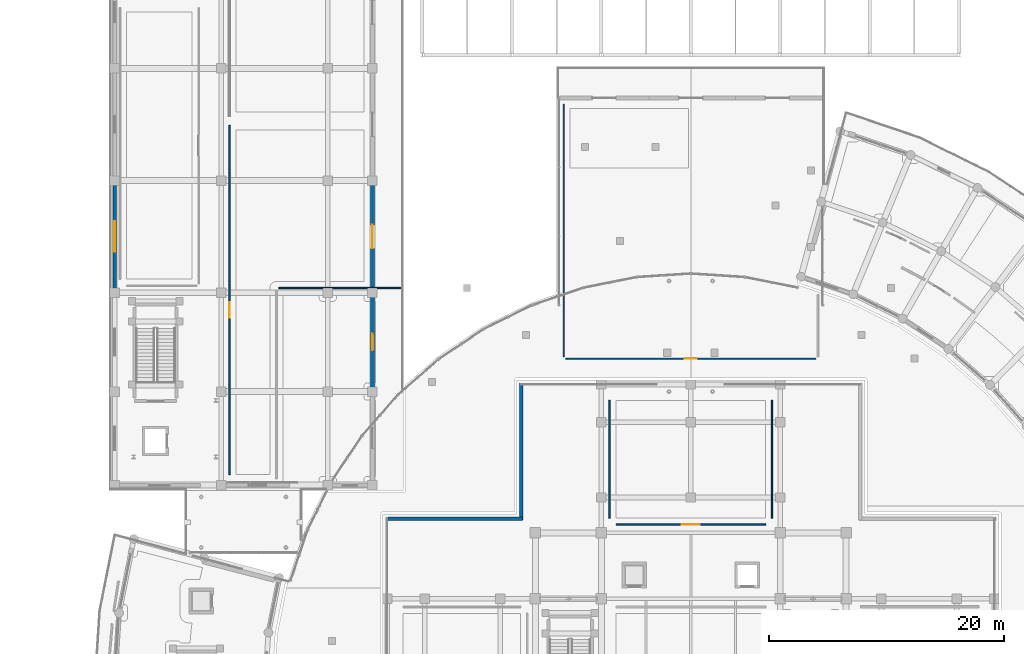
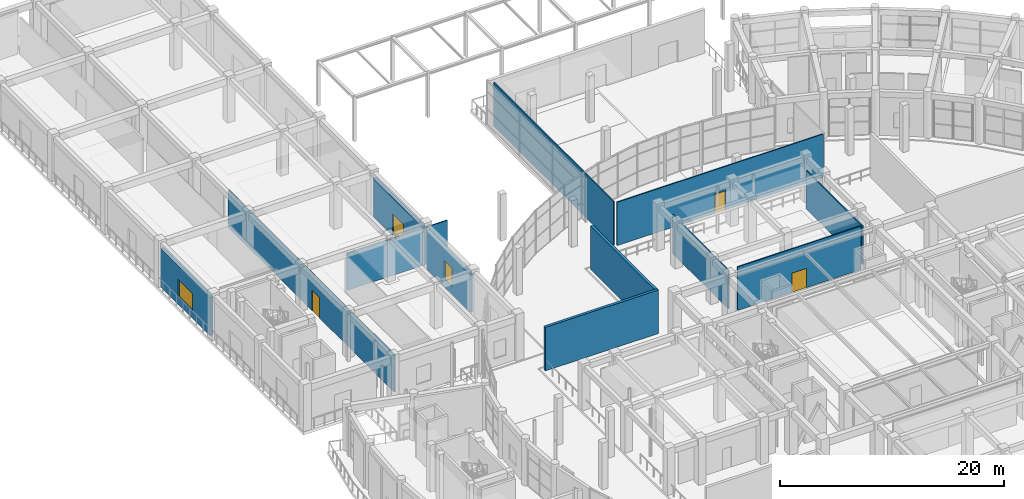
# One storey, part 71 of 99: 12 walls, 4 doors, 2 windows, 6 openings.
"""IFC4 building model written with IfcOpenShell, lengths in metres."""

import ifcopenshell
import ifcopenshell.guid

model = None  # the IFC model being written
_history = None  # IfcOwnerHistory: only IFC2X3 demands one
_inside = {}  # id of a spatial element -> (the spatial element, [elements in it])
_under = {}  # id of a project, library or spatial element -> (it, [spatial elements below it])
_declared = {}  # id of a project -> (the project, [libraries it declares])
_typed = {}  # id of a type object -> (the type object, [elements of that type])
_made_of = {}  # id of a material, layer set ... -> (it, [elements and type objects made of it])


def new_model(schema):
    """Start an empty IFC model of exactly this schema.

    Asked for "IFC4X3", IfcOpenShell would pick the latest addendum, in which some entities
    have other attributes; the version numbers below select the first issue.
    IFC2X3 requires an IfcOwnerHistory on every rooted entity: one is made here for all.
    """
    global model, _history
    if schema == "IFC4X3":
        model = ifcopenshell.file(schema_version=(4, 3, 0, 0))
    else:
        model = ifcopenshell.file(schema=schema)
    _inside.clear()
    _under.clear()
    _declared.clear()
    _typed.clear()
    _made_of.clear()
    _history = None
    if model.schema == "IFC2X3":
        org = make("IfcOrganization", Name="unknown")
        user = make(
            "IfcPersonAndOrganization",
            ThePerson=make("IfcPerson", FamilyName="unknown"),
            TheOrganization=org,
        )
        app = make(
            "IfcApplication",
            ApplicationDeveloper=org,
            Version="unknown",
            ApplicationFullName="unknown",
            ApplicationIdentifier="unknown",
        )
        _history = make(
            "IfcOwnerHistory",
            OwningUser=user,
            OwningApplication=app,
            ChangeAction="ADDED",
            CreationDate=0,
        )
    return model


def make(cls, **values):
    """One entity of the class cls with the attributes given. An attribute that is None is left unset."""
    return model.create_entity(
        cls, **{name: value for name, value in values.items() if value is not None}
    )


def rooted(cls, **values):
    """An entity with a GlobalId (a new one), such as an element, a storey or a relation."""
    return make(cls, GlobalId=ifcopenshell.guid.new(), OwnerHistory=_history, **values)


def si_unit(unit_type, name, prefix=None):
    """IfcSIUnit, for example si_unit("LENGTHUNIT", "METRE", prefix="MILLI")."""
    return make("IfcSIUnit", UnitType=unit_type, Prefix=prefix, Name=name)


def assignment(units):
    """IfcUnitAssignment: the units of a project."""
    return None if units is None else make("IfcUnitAssignment", Units=units)


def point(xyz):
    """IfcCartesianPoint."""
    return None if xyz is None else make("IfcCartesianPoint", Coordinates=xyz)


def direction(xyz):
    """IfcDirection."""
    return None if xyz is None else make("IfcDirection", DirectionRatios=xyz)


def frame(location, z_axis=None, x_axis=None):
    """IfcAxis2Placement3D, a coordinate frame: its origin and axes. An axis left out is left unset."""
    return make(
        "IfcAxis2Placement3D",
        Location=point(location),
        Axis=direction(z_axis),
        RefDirection=direction(x_axis),
    )


def frame_2d(location, x_axis=None):
    """IfcAxis2Placement2D, a coordinate frame in the plane: its origin and x axis."""
    return make(
        "IfcAxis2Placement2D", Location=point(location), RefDirection=direction(x_axis)
    )


def origin():
    """The frame at (0, 0, 0) with its axes left unset."""
    return frame((0.0, 0.0, 0.0))


def place(relative_to, where):
    """IfcLocalPlacement: puts the frame where relative to a parent placement (None: the world)."""
    return make(
        "IfcLocalPlacement", PlacementRelTo=relative_to, RelativePlacement=where
    )


def context(
    kind, dimensions, precision=None, world=None, true_north=None, identifier=None
):
    """IfcGeometricRepresentationContext, for example the 3D "Model" context."""
    return make(
        "IfcGeometricRepresentationContext",
        ContextIdentifier=identifier,
        ContextType=kind,
        CoordinateSpaceDimension=dimensions,
        Precision=precision,
        WorldCoordinateSystem=world,
        TrueNorth=true_north,
    )


def subcontext(parent, identifier, kind, view, scale=None):
    """IfcGeometricRepresentationSubContext, for example "Body" below "Model"."""
    return make(
        "IfcGeometricRepresentationSubContext",
        ContextIdentifier=identifier,
        ContextType=kind,
        ParentContext=parent,
        TargetScale=scale,
        TargetView=view,
    )


def project(units=None, contexts=None):
    """IfcProject with its units and contexts."""
    return rooted(
        "IfcProject",
        Name="project",
        RepresentationContexts=contexts,
        UnitsInContext=assignment(units),
    )


def spatial(cls, under=None, at=None, **own):
    """A site, building, storey or space (cls), placed at a placement, below another one or the project."""
    s = rooted(cls, ObjectPlacement=at, **own)
    if under is not None:
        _under.setdefault(under.id(), (under, []))[1].append(s)
    return s


def profile(cls, at=None, kind="AREA", **sizes):
    """A parametric profile (cls). Its sizes go by their IFC names, for example OverallWidth=200.0."""
    return make(cls, ProfileType=kind, Position=at, **sizes)


def rectangle(**sizes):
    """IfcRectangleProfileDef."""
    return profile("IfcRectangleProfileDef", **sizes)


def extrude(swept, where, along, depth):
    """IfcExtrudedAreaSolid: the profile swept, set in the frame where, extruded along a direction by depth."""
    return make(
        "IfcExtrudedAreaSolid",
        SweptArea=swept,
        Position=where,
        ExtrudedDirection=direction(along),
        Depth=depth,
    )


def shape(context_of_items, identifier, shape_type, items):
    """IfcShapeRepresentation: the items that make up one representation, for example the "Body"."""
    return make(
        "IfcShapeRepresentation",
        ContextOfItems=context_of_items,
        RepresentationIdentifier=identifier,
        RepresentationType=shape_type,
        Items=items,
    )


def material(Name=None, Category=None):
    """IfcMaterial."""
    return make("IfcMaterial", Name=Name, Category=Category)


def layer(
    of_material, thickness, ventilated=None, Name=None, Category=None, Priority=None
):
    """IfcMaterialLayer: one layer of a wall or slab, of a material (None: an air gap)."""
    return make(
        "IfcMaterialLayer",
        Material=of_material,
        LayerThickness=thickness,
        IsVentilated=ventilated,
        Name=Name,
        Category=Category,
        Priority=Priority,
    )


def layer_set(layers, Name=None):
    """IfcMaterialLayerSet."""
    return make("IfcMaterialLayerSet", MaterialLayers=layers, LayerSetName=Name)


def made_of(thing, what):
    """Note that an element or type object is made of a material, layer set ...; save() writes the relation."""
    if what is not None:
        _made_of.setdefault(what.id(), (what, []))[1].append(thing)
    return thing


def type_object(cls, material=None, **own):
    """A type object (cls), such as IfcWallType, which elements share."""
    return made_of(rooted(cls, **own), material)


def element(
    cls,
    number,
    at=None,
    inside=None,
    cuts=None,
    type_object=None,
    material=None,
    context=None,
    identifier="Body",
    shape_type=None,
    held_by="IfcProductDefinitionShape",
    body=None,
    shapes=None,
    **own,
):
    """One element of the class cls, such as IfcWall. Its Tag is "e" and its number.

    at: its placement. inside: the storey or other place that contains it. cuts: it is an
    opening in that element (IfcRelVoidsElement). A single representation is given by context,
    identifier, shape_type and body (its items); several are given by shapes. held_by: the class
    of the entity that holds the representations. save() writes the other relations.
    """
    e = rooted(cls, Tag="e%d" % number, ObjectPlacement=at, **own)
    if body is not None:
        shapes = [shape(context, identifier, shape_type, body)]
    if shapes is not None:
        e.Representation = make(held_by, Representations=shapes)
    if inside is not None:
        _inside.setdefault(inside.id(), (inside, []))[1].append(e)
    if cuts is not None:
        rooted(
            "IfcRelVoidsElement", RelatingBuildingElement=cuts, RelatedOpeningElement=e
        )
    if type_object is not None:
        _typed.setdefault(type_object.id(), (type_object, []))[1].append(e)
    return made_of(e, material)


def fill(opening, filler):
    """IfcRelFillsElement: the door or window that sits in an opening."""
    return rooted(
        "IfcRelFillsElement",
        RelatingOpeningElement=opening,
        RelatedBuildingElement=filler,
    )


def aggregate(whole, parts):
    """IfcRelAggregates: a whole, such as a stair, and the parts it consists of."""
    return rooted("IfcRelAggregates", RelatingObject=whole, RelatedObjects=parts)


def save(model, path):
    """Write the relations noted so far, then the file.

    IfcRelAggregates (storeys below a building ...), IfcRelContainedInSpatialStructure (elements
    in a storey), IfcRelDefinesByType, IfcRelAssociatesMaterial and IfcRelDeclares: one each for
    every whole, place, type object, material and project.
    """
    for whole, parts in _under.values():
        aggregate(whole, parts)
    for where, things in _inside.values():
        rooted(
            "IfcRelContainedInSpatialStructure",
            RelatedElements=things,
            RelatingStructure=where,
        )
    for kind, things in _typed.values():
        rooted("IfcRelDefinesByType", RelatedObjects=things, RelatingType=kind)
    for what, things in _made_of.values():
        rooted("IfcRelAssociatesMaterial", RelatedObjects=things, RelatingMaterial=what)
    for by, libraries in _declared.values():
        rooted("IfcRelDeclares", RelatingContext=by, RelatedDefinitions=libraries)
    model.write(path)


model = new_model("IFC4")

# Units and contexts
model_context = context("Model", 3, precision=1e-05, world=origin(), true_north=direction((0.0, 1.0)))
body_context = subcontext(model_context, "Body", "Model", "MODEL_VIEW")
ifc_project = project(units=[si_unit("LENGTHUNIT", "METRE"), si_unit("AREAUNIT", "SQUARE_METRE"), si_unit("VOLUMEUNIT", "CUBIC_METRE"), si_unit("PLANEANGLEUNIT", "RADIAN"), si_unit("MASSUNIT", "GRAM", prefix="KILO")], contexts=[model_context])

# Site, building, storey
site_placement = place(None, origin())
site = spatial("IfcSite", under=ifc_project, at=site_placement, CompositionType="ELEMENT")
building_placement = place(site_placement, origin())
building = spatial("IfcBuilding", under=site, at=building_placement, Name="Saryqyr Civic Hall", CompositionType="ELEMENT")
storey_placement = place(building_placement, origin())
storey = spatial("IfcBuildingStorey", under=building, at=storey_placement, Name="L00", CompositionType="ELEMENT", Elevation=0.0)

# Walls
ifc_material_1 = material(Name="Precast concrete C40/50", Category="concrete")
ifc_layer_1 = layer(ifc_material_1, 0.27001953125, Name="Precast concrete C40/50")
ifc_layer_set_1 = layer_set([ifc_layer_1], Name="Precast concrete C40/50")
wall_type_1 = type_object("IfcWallType", Name="ENV-WAL-EXT-270", PredefinedType="STANDARD", material=ifc_layer_set_1)
for number, where, z_axis, x_axis, name in (
    (1, (31.080078125, 98.39990234375, 0.0), (0.0, 0.0, 1.0), (1.0, 0.0, 0.0), "Exterior wall V1-EW-L00-03"),
    (2, (42.60009765625, 98.280029296875, 0.0), (0.0, 0.0, 1.0), (0.0, 1.0, 0.0), "Exterior wall V1-EW-L00-04"),
):
    element("IfcWall", number, at=place(storey_placement, frame(where, z_axis=z_axis, x_axis=x_axis)), inside=storey, type_object=wall_type_1, Name=name, PredefinedType="STANDARD", context=body_context, shape_type="SweptSolid", body=[
        extrude(rectangle(XDim=11.639892578125, YDim=0.27001953125, at=frame_2d((5.81982421875, 0.0))), origin(), (0.0, 0.0, 1.0), 4.75),
    ])

# Wall, opening, door
ifc_layer_2 = layer(ifc_material_1, 0.31005859375, Name="Precast concrete C40/50")
ifc_layer_set_2 = layer_set([ifc_layer_2], Name="Precast concrete C40/50")
wall_type_2 = type_object("IfcWallType", Name="ENV-WAL-EXT-310", PredefinedType="STANDARD", material=ifc_layer_set_2)
wall_1_placement = place(storey_placement, frame((29.949951171875, 126.794921875, 0.0), z_axis=(0.0, 0.0, 1.0), x_axis=(0.0, -1.0, 0.0)))
wall_1 = element("IfcWall", 3, at=wall_1_placement, inside=storey, type_object=wall_type_2, Name="Exterior wall V3-EW-L00-1-4", PredefinedType="STANDARD", context=body_context, shape_type="SweptSolid", body=[
    extrude(rectangle(XDim=8.85986328125, YDim=0.31005859375, at=frame_2d((4.429931640625, 0.0))), origin(), (0.0, 0.0, 1.0), 4.195068359375),
])
opening_1_placement = place(wall_1_placement, frame((3.429931640625, 0.0, 0.0)))
opening_1 = element("IfcOpeningElement", 4, at=opening_1_placement, cuts=wall_1, Name="Opening ED-A", PredefinedType="OPENING", context=body_context, shape_type="SweptSolid", body=[
    extrude(rectangle(XDim=2.0, YDim=2.39990234375, at=frame_2d((1.0, 1.199951171875))), frame((0.0, 0.1650390625, 0.0), z_axis=(0.0, -1.0, 0.0), x_axis=(1.0, 0.0, 0.0)), (0.0, 0.0, 1.0), 0.330078125),
])
ifc_material_2 = material(Name="Thermally broken painted galvanized steel", Category="steel")
door_type_1 = type_object("IfcDoorType", Name="ENV-DR-EXIT-2000x2400", OperationType="NOTDEFINED", PredefinedType="DOOR", material=ifc_material_2)
door_1_placement = place(opening_1_placement, origin())
door_1 = element("IfcDoor", 5, at=door_1_placement, inside=storey, type_object=door_type_1, Name="Pedestrian Final Exit Door V3-1-4", OperationType="DOUBLE_DOOR_SINGLE_SWING", OverallHeight=2.39990234375, OverallWidth=2.0, PredefinedType="DOOR", context=body_context, shape_type="SweptSolid", body=[
    extrude(rectangle(XDim=2.0, YDim=2.39990234375, at=frame_2d((1.0, 1.199951171875))), frame((0.0, 0.02490234375, 0.0), z_axis=(0.0, -1.0, 0.0), x_axis=(1.0, 0.0, 0.0)), (0.0, 0.0, 1.0), 0.050048828125),
])
fill(opening_1, door_1)

# Wall, opening, window
wall_2_placement = place(storey_placement, frame((29.949951171875, 117.264892578125, 0.0), z_axis=(0.0, 0.0, 1.0), x_axis=(0.0, -1.0, 0.0)))
wall_2 = element("IfcWall", 6, at=wall_2_placement, inside=storey, type_object=wall_type_2, Name="Exterior wall V3-EW-L00-1-5", PredefinedType="STANDARD", context=body_context, shape_type="SweptSolid", body=[
    extrude(rectangle(XDim=7.72998046875, YDim=0.31005859375, at=frame_2d((3.864990234375, 0.0))), origin(), (0.0, 0.0, 1.0), 4.195068359375),
])
opening_2_placement = place(wall_2_placement, frame((3.1650390625, 0.0, 0.85009765625)))
opening_2 = element("IfcOpeningElement", 7, at=opening_2_placement, cuts=wall_2, Name="Opening W-31", PredefinedType="OPENING", context=body_context, shape_type="SweptSolid", body=[
    extrude(rectangle(XDim=1.39990234375, YDim=2.050048828125, at=frame_2d((0.699951171875, 1.02490234375))), frame((0.0, 0.1650390625, 0.0), z_axis=(0.0, -1.0, 0.0), x_axis=(1.0, 0.0, 0.0)), (0.0, 0.0, 1.0), 0.330078125),
])
ifc_material_3 = material(Name="Anodised aluminium and triple low-E glass", Category="aluminium")
window_type_1 = type_object("IfcWindowType", Name="ENV-WIN-W31", PartitioningType="SINGLE_PANEL", PredefinedType="WINDOW", material=ifc_material_3)
window_1_placement = place(opening_2_placement, origin())
window_1 = element("IfcWindow", 8, at=window_1_placement, inside=storey, type_object=window_type_1, Name="Library window L00-1-5", OverallHeight=2.050048828125, OverallWidth=1.39990234375, PartitioningType="SINGLE_PANEL", PredefinedType="WINDOW", context=body_context, shape_type="SweptSolid", body=[
    extrude(rectangle(XDim=1.39990234375, YDim=2.050048828125, at=frame_2d((0.699951171875, 1.02490234375))), frame((0.0, 0.030029296875, 0.0), z_axis=(0.0, -1.0, 0.0), x_axis=(1.0, 0.0, 0.0)), (0.0, 0.0, 1.0), 0.06005859375),
])
fill(opening_2, window_1)

wall_3_placement = place(storey_placement, frame((8.050048828125, 117.93505859375, 0.0), z_axis=(0.0, 0.0, 1.0), x_axis=(0.0, 1.0, 0.0)))
wall_3 = element("IfcWall", 9, at=wall_3_placement, inside=storey, type_object=wall_type_2, Name="Exterior wall V3-EW-L00-3-2", PredefinedType="STANDARD", context=body_context, shape_type="SweptSolid", body=[
    extrude(rectangle(XDim=8.85986328125, YDim=0.31005859375, at=frame_2d((4.429931640625, 0.0))), origin(), (0.0, 0.0, 1.0), 4.195068359375),
])
opening_3_placement = place(wall_3_placement, frame((3.1298828125, 0.0, 0.85009765625)))
opening_3 = element("IfcOpeningElement", 10, at=opening_3_placement, cuts=wall_3, Name="Opening W-30", PredefinedType="OPENING", context=body_context, shape_type="SweptSolid", body=[
    extrude(rectangle(XDim=2.60009765625, YDim=1.85009765625, at=frame_2d((1.300048828125, 0.925048828125))), frame((0.0, 0.1650390625, 0.0), z_axis=(0.0, -1.0, 0.0), x_axis=(1.0, 0.0, 0.0)), (0.0, 0.0, 1.0), 0.330078125),
])
window_type_2 = type_object("IfcWindowType", Name="ENV-WIN-W30", PartitioningType="SINGLE_PANEL", PredefinedType="WINDOW", material=ifc_material_3)
window_2_placement = place(opening_3_placement, origin())
window_2 = element("IfcWindow", 11, at=window_2_placement, inside=storey, type_object=window_type_2, Name="Library window L00-3-2", OverallHeight=1.85009765625, OverallWidth=2.60009765625, PartitioningType="SINGLE_PANEL", PredefinedType="WINDOW", context=body_context, shape_type="SweptSolid", body=[
    extrude(rectangle(XDim=2.60009765625, YDim=1.85009765625, at=frame_2d((1.300048828125, 0.925048828125))), frame((0.0, 0.030029296875, 0.0), z_axis=(0.0, -1.0, 0.0), x_axis=(1.0, 0.0, 0.0)), (0.0, 0.0, 1.0), 0.06005859375),
])
fill(opening_3, window_2)

# Wall
ifc_material_4 = material(Name="Lightweight demountable partition", Category="gypsum")
ifc_layer_3 = layer(ifc_material_4, 0.094970703125, Name="Lightweight demountable partition")
ifc_layer_set_3 = layer_set([ifc_layer_3], Name="Lightweight demountable partition")
wall_type_3 = type_object("IfcWallType", Name="INT-WAL-PRT-095", PredefinedType="PARTITIONING", material=ifc_layer_set_3)
wall_4_placement = place(storey_placement, frame((21.97998046875, 118.0, 0.0), z_axis=(0.0, 0.0, 1.0), x_axis=(1.0, 0.0, 0.0)))
element("IfcWall", 12, at=wall_4_placement, inside=storey, type_object=wall_type_3, Name="Interior partition PRT-SP-V2-L00-WHALL-W3", PredefinedType="PARTITIONING", context=body_context, shape_type="SweptSolid", body=[
    extrude(rectangle(XDim=10.360107421875, YDim=0.094970703125, at=frame_2d((5.18017578125, 0.0))), origin(), (0.0, 0.0, 1.0), 4.044921875),
])

# Wall, opening, door
ifc_material_5 = material(Name="Moisture-resistant gypsum partition", Category="gypsum")
ifc_layer_4 = layer(ifc_material_5, 0.110107421875, Name="Moisture-resistant gypsum partition")
ifc_layer_set_4 = layer_set([ifc_layer_4], Name="Moisture-resistant gypsum partition")
wall_type_4 = type_object("IfcWallType", Name="INT-WAL-PRT-110", PredefinedType="PARTITIONING", material=ifc_layer_set_4)
wall_5_placement = place(storey_placement, frame((67.6201171875, 112.0, 0.0), z_axis=(0.0, 0.0, 1.0), x_axis=(-1.0, 0.0, 0.0)))
wall_5 = element("IfcWall", 13, at=wall_5_placement, inside=storey, type_object=wall_type_4, Name="Interior partition PRT-SP-V2-L00-NVEST-W1", PredefinedType="PARTITIONING", context=body_context, shape_type="SweptSolid", body=[
    extrude(rectangle(XDim=21.240234375, YDim=0.110107421875, at=frame_2d((10.6201171875, 0.0))), origin(), (0.0, 0.0, 1.0), 4.72998046875),
])
opening_4_placement = place(wall_5_placement, frame((10.094970703125, 0.0, 0.0)))
opening_4 = element("IfcOpeningElement", 14, at=opening_4_placement, cuts=wall_5, Name="Opening D-04", PredefinedType="OPENING", context=body_context, shape_type="SweptSolid", body=[
    extrude(rectangle(XDim=1.050048828125, YDim=2.10009765625, at=frame_2d((0.52490234375, 1.050048828125))), frame((0.0, 0.06494140625, 0.0), z_axis=(0.0, -1.0, 0.0), x_axis=(1.0, 0.0, 0.0)), (0.0, 0.0, 1.0), 0.130126953125),
])
ifc_material_6 = material(Name="Acoustic solid-core oak veneer", Category="wood")
door_type_2 = type_object("IfcDoorType", Name="INT-DR-D-04", OperationType="NOTDEFINED", PredefinedType="DOOR", material=ifc_material_6)
door_2_placement = place(opening_4_placement, origin())
door_2 = element("IfcDoor", 15, at=door_2_placement, inside=storey, type_object=door_type_2, Name="Interior door North Civic Square Entrance Hall", OperationType="SINGLE_SWING_RIGHT", OverallHeight=2.10009765625, OverallWidth=1.050048828125, PredefinedType="DOOR", context=body_context, shape_type="SweptSolid", body=[
    extrude(rectangle(XDim=1.050048828125, YDim=2.10009765625, at=frame_2d((0.52490234375, 1.050048828125))), frame((0.0, 0.02490234375, 0.0), z_axis=(0.0, -1.0, 0.0), x_axis=(1.0, 0.0, 0.0)), (0.0, 0.0, 1.0), 0.050048828125),
])
fill(opening_4, door_2)

# Wall
wall_6_placement = place(storey_placement, frame((46.199951171875, 112.179931640625, 0.0), z_axis=(0.0, 0.0, 1.0), x_axis=(0.0, 1.0, 0.0)))
element("IfcWall", 16, at=wall_6_placement, inside=storey, type_object=wall_type_4, Name="Interior partition PRT-SP-V2-L00-NVEST-W3", PredefinedType="PARTITIONING", context=body_context, shape_type="SweptSolid", body=[
    extrude(rectangle(XDim=21.440185546875, YDim=0.110107421875, at=frame_2d((10.72021484375, 0.0))), origin(), (0.0, 0.0, 1.0), 4.72998046875),
])

# Wall, opening, door
ifc_material_7 = material(Name="Metal-stud gypsum board partition", Category="gypsum")
ifc_layer_5 = layer(ifc_material_7, 0.125, Name="Metal-stud gypsum board partition")
ifc_layer_set_5 = layer_set([ifc_layer_5], Name="Metal-stud gypsum board partition")
wall_type_5 = type_object("IfcWallType", Name="INT-WAL-PRT-125", PredefinedType="PARTITIONING", material=ifc_layer_set_5)
wall_7_placement = place(storey_placement, frame((63.35009765625, 97.89990234375, 0.0), z_axis=(0.0, 0.0, 1.0), x_axis=(-1.0, 0.0, 0.0)))
wall_7 = element("IfcWall", 17, at=wall_7_placement, inside=storey, type_object=wall_type_5, Name="Interior partition PRT-SP-V1-L00-R03-W1", PredefinedType="PARTITIONING", context=body_context, shape_type="SweptSolid", body=[
    extrude(rectangle(XDim=12.7001953125, YDim=0.125, at=frame_2d((6.35009765625, 0.0))), origin(), (0.0, 0.0, 1.0), 4.72998046875),
])
opening_5_placement = place(wall_7_placement, frame((5.60009765625, 0.0, 0.0)))
opening_5 = element("IfcOpeningElement", 18, at=opening_5_placement, cuts=wall_7, Name="Opening D-08", PredefinedType="OPENING", context=body_context, shape_type="SweptSolid", body=[
    extrude(rectangle(XDim=1.5, YDim=2.10009765625, at=frame_2d((0.75, 1.050048828125))), frame((0.0, 0.072509765625, 0.0), z_axis=(0.0, -1.0, 0.0), x_axis=(1.0, 0.0, 0.0)), (0.0, 0.0, 1.0), 0.14501953125),
])
door_type_3 = type_object("IfcDoorType", Name="INT-DR-D-08", OperationType="NOTDEFINED", PredefinedType="DOOR", material=ifc_material_6)
door_3_placement = place(opening_5_placement, origin())
door_3 = element("IfcDoor", 19, at=door_3_placement, inside=storey, type_object=door_type_3, Name="Interior door Civic Ceremonial Cloakroom & Public Lounge", OperationType="SINGLE_SWING_RIGHT", OverallHeight=2.10009765625, OverallWidth=1.5, PredefinedType="DOOR", context=body_context, shape_type="SweptSolid", body=[
    extrude(rectangle(XDim=1.5, YDim=2.10009765625, at=frame_2d((0.75, 1.050048828125))), frame((0.0, 0.02490234375, 0.0), z_axis=(0.0, -1.0, 0.0), x_axis=(1.0, 0.0, 0.0)), (0.0, 0.0, 1.0), 0.050048828125),
])
fill(opening_5, door_3)

# Walls
for number, where, z_axis, x_axis, name in (
    (20, (63.89990234375, 108.449951171875, 0.0), (0.0, 0.0, 1.0), (0.0, -1.0, 0.0), "Interior partition PRT-SP-V1-L00-R03-W2"),
    (21, (50.10009765625, 98.449951171875, 0.0), (0.0, 0.0, 1.0), (0.0, 1.0, 0.0), "Interior partition PRT-SP-V1-L00-R03-W3"),
):
    element("IfcWall", number, at=place(storey_placement, frame(where, z_axis=z_axis, x_axis=x_axis)), inside=storey, type_object=wall_type_5, Name=name, PredefinedType="PARTITIONING", context=body_context, shape_type="SweptSolid", body=[
        extrude(rectangle(XDim=10.0, YDim=0.125, at=frame_2d((5.0, 0.0))), origin(), (0.0, 0.0, 1.0), 4.195068359375),
    ])

# Wall, opening, door
wall_8_placement = place(storey_placement, frame((17.800048828125, 102.14990234375, 0.0), z_axis=(0.0, 0.0, 1.0), x_axis=(0.0, 1.0, 0.0)))
wall_8 = element("IfcWall", 22, at=wall_8_placement, inside=storey, type_object=wall_type_5, Name="Interior partition PRT-SP-V3-L00-R01-W1", PredefinedType="PARTITIONING", context=body_context, shape_type="SweptSolid", body=[
    extrude(rectangle(XDim=29.670166015625, YDim=0.125, at=frame_2d((14.8349609375, 0.0))), origin(), (0.0, 0.0, 1.0), 4.044921875),
])
opening_6_placement = place(wall_8_placement, frame((13.3349609375, 0.0, 0.0)))
opening_6 = element("IfcOpeningElement", 23, at=opening_6_placement, cuts=wall_8, Name="Opening D-12", PredefinedType="OPENING", context=body_context, shape_type="SweptSolid", body=[
    extrude(rectangle(XDim=1.300048828125, YDim=2.219970703125, at=frame_2d((0.64990234375, 1.10986328125))), frame((0.0, 0.072509765625, 0.0), z_axis=(0.0, -1.0, 0.0), x_axis=(1.0, 0.0, 0.0)), (0.0, 0.0, 1.0), 0.14501953125),
])
door_type_4 = type_object("IfcDoorType", Name="INT-DR-D-12", OperationType="NOTDEFINED", PredefinedType="DOOR", material=ifc_material_6)
door_4_placement = place(opening_6_placement, origin())
door_4 = element("IfcDoor", 24, at=door_4_placement, inside=storey, type_object=door_type_4, Name="Interior door Public Municipal Archive Inquiry Room", OperationType="SINGLE_SWING_RIGHT", OverallHeight=2.219970703125, OverallWidth=1.300048828125, PredefinedType="DOOR", context=body_context, shape_type="SweptSolid", body=[
    extrude(rectangle(XDim=1.300048828125, YDim=2.219970703125, at=frame_2d((0.64990234375, 1.10986328125))), frame((0.0, 0.02490234375, 0.0), z_axis=(0.0, -1.0, 0.0), x_axis=(1.0, 0.0, 0.0)), (0.0, 0.0, 1.0), 0.050048828125),
])
fill(opening_6, door_4)

save(model, "model.ifc")
